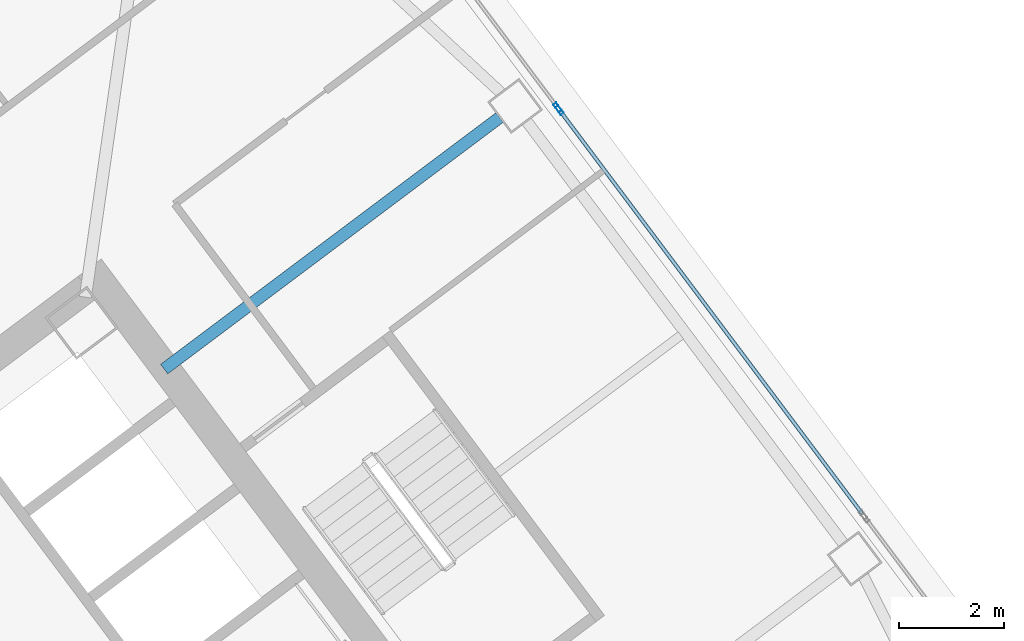
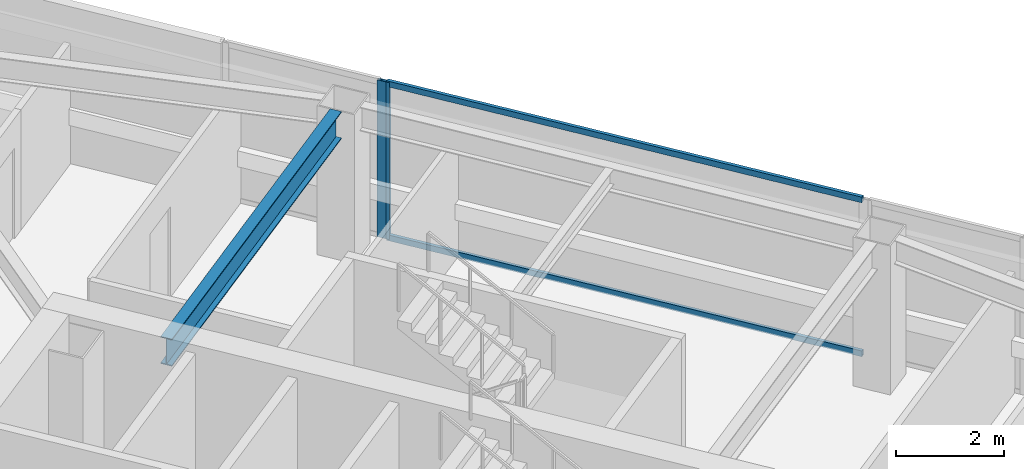
# One storey, part 29 of 42: 4 members, 1 beam, 2 elements without a shape of their own.
"""IFC4 building model written with IfcOpenShell, lengths in metres."""

from ifc_helpers import new_model, si_unit, direction, frame, origin, origin_2d, place, context, subcontext, project, spatial, hollow_rectangle, i_section, extrude, material, material_profile, profile_set, type_object, element, aggregate, save


model = new_model("IFC4")

# Units and contexts
model_context = context("Model", 3, precision=1e-05, world=origin(), true_north=direction((0.0, 1.0)))
body_context = subcontext(model_context, "Body", "Model", "MODEL_VIEW")
ifc_project = project(units=[si_unit("LENGTHUNIT", "METRE"), si_unit("AREAUNIT", "SQUARE_METRE"), si_unit("VOLUMEUNIT", "CUBIC_METRE"), si_unit("PLANEANGLEUNIT", "RADIAN"), si_unit("MASSUNIT", "GRAM", prefix="KILO")], contexts=[model_context])

# Site, building, storey
site_placement = place(None, origin())
site = spatial("IfcSite", under=ifc_project, at=site_placement, CompositionType="ELEMENT")
building_placement = place(site_placement, origin())
building = spatial("IfcBuilding", under=site, at=building_placement, Name="Tashvorn Skyway Center", CompositionType="ELEMENT")
storey_placement = place(building_placement, frame((0.0, 0.0, 164.10009765625)))
storey = spatial("IfcBuildingStorey", under=building, at=storey_placement, Name="L44", CompositionType="ELEMENT", Elevation=164.10009765625)

# Beam
ifc_material_1 = material(Name="Steel ASTM A992 Grade 50", Category="steel")
ifc_material_profile_1 = material_profile(ifc_material_1, i_section(OverallWidth=0.22998046875, OverallDepth=0.616943359375, WebThickness=0.01318359375, FlangeThickness=0.022216796875, at=origin_2d()), Name="W24X94")
ifc_profile_set_1 = profile_set([ifc_material_profile_1], Name="Steel ASTM A992 Grade 50")
beam_type = type_object("IfcBeamType", Name="BM-BEAM-W24X94", PredefinedType="BEAM", material=ifc_profile_set_1)
beam_placement = place(storey_placement, frame((123.384033203125, 45.7880859375, 3.0615234375), z_axis=(-0.800003662027, -0.599995117266, 0.0), x_axis=(0.599995117266, -0.800003662027, 0.0)))
element("IfcBeam", 1, at=beam_placement, inside=storey, type_object=beam_type, Name="Tower 2 L44 Primary Floor Girder FC-E2", PredefinedType="BEAM", context=body_context, shape_type="SweptSolid", body=[
    extrude(i_section(OverallWidth=0.22998046875, OverallDepth=0.616943359375, WebThickness=0.01318359375, FlangeThickness=0.022216796875, at=origin_2d()), origin(), (0.0, 0.0, 1.0), 8.000244140625),
])

# Curtain wall, member
ifc_material_2 = material(Name="Thermally broken bronze-anodized aluminium 6063-T6", Category="aluminium")
curtain_wall_type = type_object("IfcCurtainWallType", Name="CW-CW-Z4", PredefinedType="NOTDEFINED", material=ifc_material_2)
curtain_wall_1_placement = place(storey_placement, origin())
curtain_wall_1 = element("IfcCurtainWall", 2, at=curtain_wall_1_placement, inside=storey, type_object=curtain_wall_type, Name="Tower 2 L44 East Unitised Curtain Wall Glazing Group 1", PredefinedType="NOTDEFINED")
ifc_material_profile_2 = material_profile(ifc_material_2, hollow_rectangle(XDim=0.070068359375, YDim=0.179931640625, WallThickness=0.00390625, at=origin_2d()), Name="ALU-MULL-70x180")
ifc_profile_set_2 = profile_set([ifc_material_profile_2], Name="Thermally broken bronze-anodized aluminium 6063-T6")
member_type_1 = type_object("IfcMemberType", Name="CWM-CW-Z4", PredefinedType="MULLION", material=ifc_profile_set_2)
member_1_placement = place(storey_placement, frame((124.487060546875, 45.98388671875, 0.0), z_axis=(0.0, 0.0, 1.0), x_axis=(0.799999999998, 0.600000000002, 0.0)))
member_1 = element("IfcMember", 3, at=member_1_placement, type_object=member_type_1, Name="CW-Z4 mullion 2", PredefinedType="MULLION", context=body_context, shape_type="SweptSolid", body=[
    extrude(hollow_rectangle(XDim=0.070068359375, YDim=0.179931640625, WallThickness=0.00390625, at=origin_2d()), origin(), (0.0, 0.0, 1.0), 3.5498046875),
])
aggregate(curtain_wall_1, [member_1])

# Curtain wall, members
curtain_wall_2_placement = place(storey_placement, origin())
curtain_wall_2 = element("IfcCurtainWall", 4, at=curtain_wall_2_placement, inside=storey, type_object=curtain_wall_type, Name="Tower 2 L44 East Unitised Curtain Wall Glazing Group 2", PredefinedType="NOTDEFINED")
member_2_placement = place(storey_placement, frame((124.529052734375, 45.927978515625, 0.0), z_axis=(0.0, 0.0, 1.0), x_axis=(0.799999999998, 0.600000000002, 0.0)))
member_2 = element("IfcMember", 5, at=member_2_placement, type_object=member_type_1, Name="CW-Z4 mullion 1", PredefinedType="MULLION", context=body_context, shape_type="SweptSolid", body=[
    extrude(hollow_rectangle(XDim=0.070068359375, YDim=0.179931640625, WallThickness=0.00390625, at=origin_2d()), origin(), (0.0, 0.0, 1.0), 3.5498046875),
])
ifc_material_profile_3 = material_profile(ifc_material_2, hollow_rectangle(XDim=0.070068359375, YDim=0.1298828125, WallThickness=0.00390625, at=origin_2d()), Name="ALU-TRAN-70x130")
ifc_profile_set_3 = profile_set([ifc_material_profile_3], Name="Thermally broken bronze-anodized aluminium 6063-T6")
member_type_2 = type_object("IfcMemberType", Name="CWT-CW-Z4", PredefinedType="USERDEFINED", material=ifc_profile_set_3)
member_3_placement = place(storey_placement, frame((124.550048828125, 45.89990234375, 0.034912109375), z_axis=(0.600012232595, -0.799990825408, 0.0), x_axis=(0.799990825408, 0.600012232595, 0.0)))
member_3 = element("IfcMember", 6, at=member_3_placement, type_object=member_type_2, Name="CW-Z4 transom 1.1", ObjectType="TRANSOM", PredefinedType="USERDEFINED", context=body_context, shape_type="SweptSolid", body=[
    extrude(hollow_rectangle(XDim=0.070068359375, YDim=0.1298828125, WallThickness=0.00390625, at=origin_2d()), origin(), (0.0, 0.0, 1.0), 9.579833984375),
])
member_4_placement = place(storey_placement, frame((124.550048828125, 45.89990234375, 3.514892578125), z_axis=(0.600012232595, -0.799990825408, 0.0), x_axis=(0.799990825408, 0.600012232595, 0.0)))
member_4 = element("IfcMember", 7, at=member_4_placement, type_object=member_type_2, Name="CW-Z4 transom 1.2", ObjectType="TRANSOM", PredefinedType="USERDEFINED", context=body_context, shape_type="SweptSolid", body=[
    extrude(hollow_rectangle(XDim=0.070068359375, YDim=0.1298828125, WallThickness=0.00390625, at=origin_2d()), origin(), (0.0, 0.0, 1.0), 9.579833984375),
])
aggregate(curtain_wall_2, [member_2, member_3, member_4])

save(model, "model.ifc")
